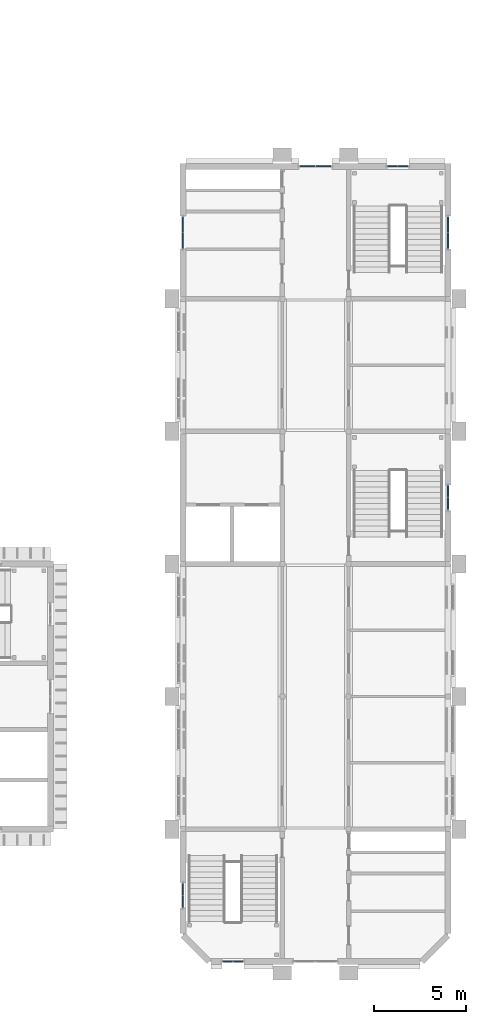
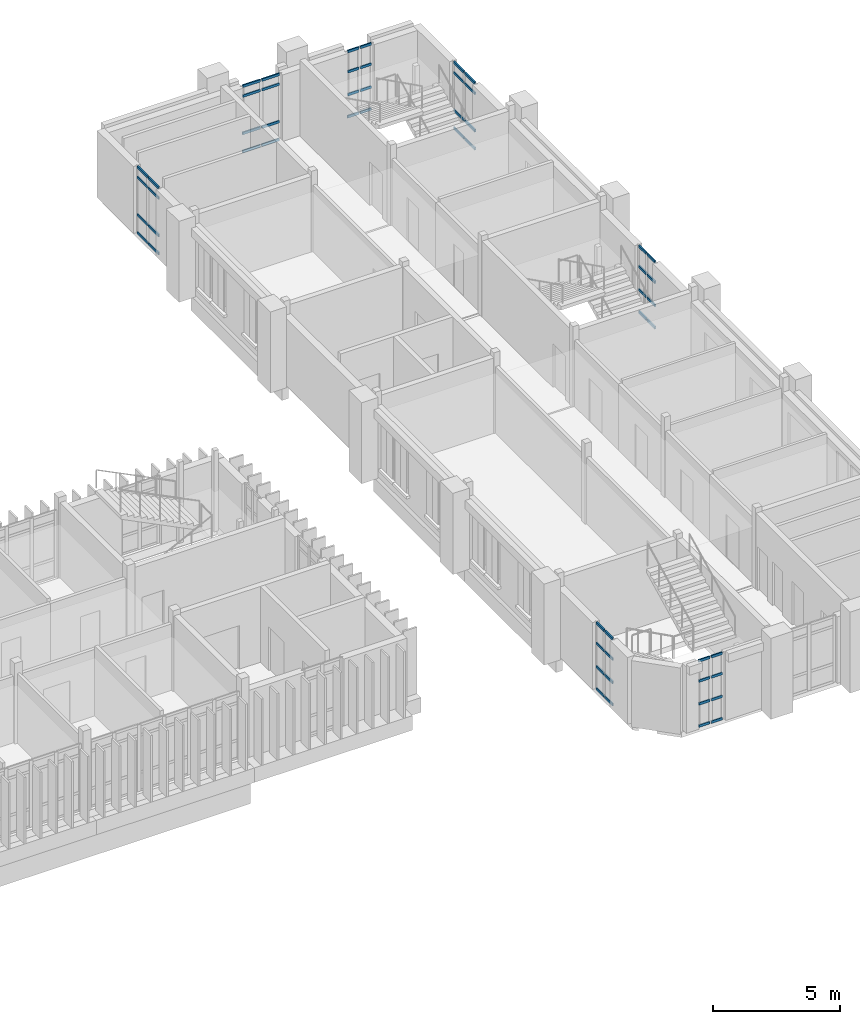
# One storey, part 25 of 69: 56 members, 7 elements without a shape of their own.
"""IFC4 building model written with IfcOpenShell, lengths in metres."""

from ifc_helpers import new_model, si_unit, direction, frame, origin, origin_2d, place, context, subcontext, project, spatial, rectangle, extrude, material, layer, layer_set, material_profile, profile_set, type_object, element, aggregate, save


model = new_model("IFC4")

# Units and contexts
model_context = context("Model", 3, precision=1e-05, world=origin(), true_north=direction((0.0, 1.0)))
body_context = subcontext(model_context, "Body", "Model", "MODEL_VIEW")
ifc_project = project(units=[si_unit("LENGTHUNIT", "METRE"), si_unit("AREAUNIT", "SQUARE_METRE"), si_unit("VOLUMEUNIT", "CUBIC_METRE"), si_unit("PLANEANGLEUNIT", "RADIAN"), si_unit("MASSUNIT", "GRAM", prefix="KILO")], contexts=[model_context])

# Site, building, storey
site_placement = place(None, origin())
site = spatial("IfcSite", under=ifc_project, at=site_placement, CompositionType="ELEMENT")
building_placement = place(site_placement, origin())
building = spatial("IfcBuilding", under=site, at=building_placement, Name="Mazhai Court Health Centre", CompositionType="ELEMENT")
storey_placement = place(building_placement, frame((0.0, 0.0, 6.300048828125)))
storey = spatial("IfcBuildingStorey", under=building, at=storey_placement, Name="L01", CompositionType="ELEMENT", Elevation=6.300048828125)

# Curtain wall, members
ifc_material_1 = material(Name="Teak timber frame, glazed", Category="wood")
ifc_layer_1 = layer(ifc_material_1, 0.10009765625)
ifc_layer_set_1 = layer_set([ifc_layer_1], Name="CURTAIN WALL TIMBER 600")
curtain_wall_type_1 = type_object("IfcCurtainWallType", Name="CURTAIN WALL TIMBER 600", PredefinedType="NOTDEFINED", material=ifc_layer_set_1)
curtain_wall_1_placement = place(storey_placement, origin())
curtain_wall_1 = element("IfcCurtainWall", 1, at=curtain_wall_1_placement, inside=storey, type_object=curtain_wall_type_1, Name="CW-V6-L01-A0", PredefinedType="NOTDEFINED")
ifc_material_2 = material(Name="Teak timber", Category="wood")
ifc_material_profile = material_profile(ifc_material_2, rectangle(XDim=0.06005859375, YDim=0.1201171875, at=origin_2d()), Name="CW TRANSOM 60x120")
ifc_profile_set = profile_set([ifc_material_profile], Name="Teak timber")
member_type = type_object("IfcMemberType", Name="CW TRANSOM 60x120", PredefinedType="USERDEFINED", material=ifc_profile_set)
member_1_placement = place(storey_placement, frame((135.800048828125, 9.159912109375, 0.030029296875), z_axis=(0.0, 1.0, 0.0), x_axis=(-1.0, 0.0, 0.0)))
member_1 = element("IfcMember", 2, at=member_1_placement, type_object=member_type, Name="CW transom 1.1", ObjectType="TRANSOM", PredefinedType="USERDEFINED", context=body_context, shape_type="SweptSolid", body=[
    extrude(rectangle(XDim=0.06005859375, YDim=0.1201171875, at=origin_2d()), origin(), (0.0, 0.0, 1.0), 0.610107421875),
])
member_2_placement = place(storey_placement, frame((135.800048828125, 9.159912109375, 1.099853515625), z_axis=(0.0, 1.0, 0.0), x_axis=(-1.0, 0.0, 0.0)))
member_2 = element("IfcMember", 3, at=member_2_placement, type_object=member_type, Name="CW transom 1.2", ObjectType="TRANSOM", PredefinedType="USERDEFINED", context=body_context, shape_type="SweptSolid", body=[
    extrude(rectangle(XDim=0.06005859375, YDim=0.1201171875, at=origin_2d()), origin(), (0.0, 0.0, 1.0), 0.610107421875),
])
member_3_placement = place(storey_placement, frame((135.800048828125, 9.159912109375, 2.219970703125), z_axis=(0.0, 1.0, 0.0), x_axis=(-1.0, 0.0, 0.0)))
member_3 = element("IfcMember", 4, at=member_3_placement, type_object=member_type, Name="CW transom 1.3", ObjectType="TRANSOM", PredefinedType="USERDEFINED", context=body_context, shape_type="SweptSolid", body=[
    extrude(rectangle(XDim=0.06005859375, YDim=0.1201171875, at=origin_2d()), origin(), (0.0, 0.0, 1.0), 0.610107421875),
])
member_4_placement = place(storey_placement, frame((135.800048828125, 9.159912109375, 3.18994140625), z_axis=(0.0, 1.0, 0.0), x_axis=(-1.0, 0.0, 0.0)))
member_4 = element("IfcMember", 5, at=member_4_placement, type_object=member_type, Name="CW transom 1.4", ObjectType="TRANSOM", PredefinedType="USERDEFINED", context=body_context, shape_type="SweptSolid", body=[
    extrude(rectangle(XDim=0.06005859375, YDim=0.1201171875, at=origin_2d()), origin(), (0.0, 0.0, 1.0), 0.610107421875),
])
member_5_placement = place(storey_placement, frame((135.800048828125, 9.830078125, 0.030029296875), z_axis=(0.0, 1.0, 0.0), x_axis=(-1.0, 0.0, 0.0)))
member_5 = element("IfcMember", 6, at=member_5_placement, type_object=member_type, Name="CW transom 2.1", ObjectType="TRANSOM", PredefinedType="USERDEFINED", context=body_context, shape_type="SweptSolid", body=[
    extrude(rectangle(XDim=0.06005859375, YDim=0.1201171875, at=origin_2d()), origin(), (0.0, 0.0, 1.0), 0.60986328125),
])
member_6_placement = place(storey_placement, frame((135.800048828125, 9.830078125, 1.099853515625), z_axis=(0.0, 1.0, 0.0), x_axis=(-1.0, 0.0, 0.0)))
member_6 = element("IfcMember", 7, at=member_6_placement, type_object=member_type, Name="CW transom 2.2", ObjectType="TRANSOM", PredefinedType="USERDEFINED", context=body_context, shape_type="SweptSolid", body=[
    extrude(rectangle(XDim=0.06005859375, YDim=0.1201171875, at=origin_2d()), origin(), (0.0, 0.0, 1.0), 0.60986328125),
])
member_7_placement = place(storey_placement, frame((135.800048828125, 9.830078125, 2.219970703125), z_axis=(0.0, 1.0, 0.0), x_axis=(-1.0, 0.0, 0.0)))
member_7 = element("IfcMember", 8, at=member_7_placement, type_object=member_type, Name="CW transom 2.3", ObjectType="TRANSOM", PredefinedType="USERDEFINED", context=body_context, shape_type="SweptSolid", body=[
    extrude(rectangle(XDim=0.06005859375, YDim=0.1201171875, at=origin_2d()), origin(), (0.0, 0.0, 1.0), 0.60986328125),
])
member_8_placement = place(storey_placement, frame((135.800048828125, 9.830078125, 3.18994140625), z_axis=(0.0, 1.0, 0.0), x_axis=(-1.0, 0.0, 0.0)))
member_8 = element("IfcMember", 9, at=member_8_placement, type_object=member_type, Name="CW transom 2.4", ObjectType="TRANSOM", PredefinedType="USERDEFINED", context=body_context, shape_type="SweptSolid", body=[
    extrude(rectangle(XDim=0.06005859375, YDim=0.1201171875, at=origin_2d()), origin(), (0.0, 0.0, 1.0), 0.60986328125),
])
aggregate(curtain_wall_1, [member_1, member_2, member_3, member_4, member_5, member_6, member_7, member_8])

ifc_material_3 = material(Name="Teak timber frame, glazed", Category="wood")
ifc_layer_2 = layer(ifc_material_3, 0.10009765625)
ifc_layer_set_2 = layer_set([ifc_layer_2], Name="CURTAIN WALL TIMBER 900")
curtain_wall_type_2 = type_object("IfcCurtainWallType", Name="CURTAIN WALL TIMBER 900", PredefinedType="NOTDEFINED", material=ifc_layer_set_2)
curtain_wall_2_placement = place(storey_placement, origin())
curtain_wall_2 = element("IfcCurtainWall", 10, at=curtain_wall_2_placement, inside=storey, type_object=curtain_wall_type_2, Name="CW-V6-L01-A5", PredefinedType="NOTDEFINED")
member_9_placement = place(storey_placement, frame((135.800048828125, 44.9599609375, 0.030029296875), z_axis=(0.0, 1.0, 0.0), x_axis=(-1.0, 0.0, 0.0)))
member_9 = element("IfcMember", 11, at=member_9_placement, type_object=member_type, Name="CW transom 1.1", ObjectType="TRANSOM", PredefinedType="USERDEFINED", context=body_context, shape_type="SweptSolid", body=[
    extrude(rectangle(XDim=0.06005859375, YDim=0.1201171875, at=origin_2d()), origin(), (0.0, 0.0, 1.0), 0.81005859375),
])
member_10_placement = place(storey_placement, frame((135.800048828125, 44.9599609375, 0.89990234375), z_axis=(0.0, 1.0, 0.0), x_axis=(-1.0, 0.0, 0.0)))
member_10 = element("IfcMember", 12, at=member_10_placement, type_object=member_type, Name="CW transom 1.2", ObjectType="TRANSOM", PredefinedType="USERDEFINED", context=body_context, shape_type="SweptSolid", body=[
    extrude(rectangle(XDim=0.06005859375, YDim=0.1201171875, at=origin_2d()), origin(), (0.0, 0.0, 1.0), 0.81005859375),
])
member_11_placement = place(storey_placement, frame((135.800048828125, 44.9599609375, 2.699951171875), z_axis=(0.0, 1.0, 0.0), x_axis=(-1.0, 0.0, 0.0)))
member_11 = element("IfcMember", 13, at=member_11_placement, type_object=member_type, Name="CW transom 1.3", ObjectType="TRANSOM", PredefinedType="USERDEFINED", context=body_context, shape_type="SweptSolid", body=[
    extrude(rectangle(XDim=0.06005859375, YDim=0.1201171875, at=origin_2d()), origin(), (0.0, 0.0, 1.0), 0.81005859375),
])
member_12_placement = place(storey_placement, frame((135.800048828125, 44.9599609375, 3.18994140625), z_axis=(0.0, 1.0, 0.0), x_axis=(-1.0, 0.0, 0.0)))
member_12 = element("IfcMember", 14, at=member_12_placement, type_object=member_type, Name="CW transom 1.4", ObjectType="TRANSOM", PredefinedType="USERDEFINED", context=body_context, shape_type="SweptSolid", body=[
    extrude(rectangle(XDim=0.06005859375, YDim=0.1201171875, at=origin_2d()), origin(), (0.0, 0.0, 1.0), 0.81005859375),
])
member_13_placement = place(storey_placement, frame((135.800048828125, 45.830078125, 0.030029296875), z_axis=(0.0, 1.0, 0.0), x_axis=(-1.0, 0.0, 0.0)))
member_13 = element("IfcMember", 15, at=member_13_placement, type_object=member_type, Name="CW transom 2.1", ObjectType="TRANSOM", PredefinedType="USERDEFINED", context=body_context, shape_type="SweptSolid", body=[
    extrude(rectangle(XDim=0.06005859375, YDim=0.1201171875, at=origin_2d()), origin(), (0.0, 0.0, 1.0), 0.809814453125),
])
member_14_placement = place(storey_placement, frame((135.800048828125, 45.830078125, 0.89990234375), z_axis=(0.0, 1.0, 0.0), x_axis=(-1.0, 0.0, 0.0)))
member_14 = element("IfcMember", 16, at=member_14_placement, type_object=member_type, Name="CW transom 2.2", ObjectType="TRANSOM", PredefinedType="USERDEFINED", context=body_context, shape_type="SweptSolid", body=[
    extrude(rectangle(XDim=0.06005859375, YDim=0.1201171875, at=origin_2d()), origin(), (0.0, 0.0, 1.0), 0.809814453125),
])
member_15_placement = place(storey_placement, frame((135.800048828125, 45.830078125, 2.699951171875), z_axis=(0.0, 1.0, 0.0), x_axis=(-1.0, 0.0, 0.0)))
member_15 = element("IfcMember", 17, at=member_15_placement, type_object=member_type, Name="CW transom 2.3", ObjectType="TRANSOM", PredefinedType="USERDEFINED", context=body_context, shape_type="SweptSolid", body=[
    extrude(rectangle(XDim=0.06005859375, YDim=0.1201171875, at=origin_2d()), origin(), (0.0, 0.0, 1.0), 0.809814453125),
])
member_16_placement = place(storey_placement, frame((135.800048828125, 45.830078125, 3.18994140625), z_axis=(0.0, 1.0, 0.0), x_axis=(-1.0, 0.0, 0.0)))
member_16 = element("IfcMember", 18, at=member_16_placement, type_object=member_type, Name="CW transom 2.4", ObjectType="TRANSOM", PredefinedType="USERDEFINED", context=body_context, shape_type="SweptSolid", body=[
    extrude(rectangle(XDim=0.06005859375, YDim=0.1201171875, at=origin_2d()), origin(), (0.0, 0.0, 1.0), 0.809814453125),
])
aggregate(curtain_wall_2, [member_9, member_10, member_11, member_12, member_13, member_14, member_15, member_16])

curtain_wall_3_placement = place(storey_placement, origin())
curtain_wall_3 = element("IfcCurtainWall", 19, at=curtain_wall_3_placement, inside=storey, type_object=curtain_wall_type_1, Name="CW-V6-L01-B3", PredefinedType="NOTDEFINED")
member_17_placement = place(storey_placement, frame((150.199951171875, 32.0400390625, 0.030029296875), z_axis=(0.0, -1.0, 0.0), x_axis=(1.0, 0.0, 0.0)))
member_17 = element("IfcMember", 20, at=member_17_placement, type_object=member_type, Name="CW transom 1.1", ObjectType="TRANSOM", PredefinedType="USERDEFINED", context=body_context, shape_type="SweptSolid", body=[
    extrude(rectangle(XDim=0.06005859375, YDim=0.1201171875, at=origin_2d()), origin(), (0.0, 0.0, 1.0), 0.610107421875),
])
member_18_placement = place(storey_placement, frame((150.199951171875, 32.0400390625, 1.099853515625), z_axis=(0.0, -1.0, 0.0), x_axis=(1.0, 0.0, 0.0)))
member_18 = element("IfcMember", 21, at=member_18_placement, type_object=member_type, Name="CW transom 1.2", ObjectType="TRANSOM", PredefinedType="USERDEFINED", context=body_context, shape_type="SweptSolid", body=[
    extrude(rectangle(XDim=0.06005859375, YDim=0.1201171875, at=origin_2d()), origin(), (0.0, 0.0, 1.0), 0.610107421875),
])
member_19_placement = place(storey_placement, frame((150.199951171875, 32.0400390625, 2.219970703125), z_axis=(0.0, -1.0, 0.0), x_axis=(1.0, 0.0, 0.0)))
member_19 = element("IfcMember", 22, at=member_19_placement, type_object=member_type, Name="CW transom 1.3", ObjectType="TRANSOM", PredefinedType="USERDEFINED", context=body_context, shape_type="SweptSolid", body=[
    extrude(rectangle(XDim=0.06005859375, YDim=0.1201171875, at=origin_2d()), origin(), (0.0, 0.0, 1.0), 0.610107421875),
])
member_20_placement = place(storey_placement, frame((150.199951171875, 32.0400390625, 3.18994140625), z_axis=(0.0, -1.0, 0.0), x_axis=(1.0, 0.0, 0.0)))
member_20 = element("IfcMember", 23, at=member_20_placement, type_object=member_type, Name="CW transom 1.4", ObjectType="TRANSOM", PredefinedType="USERDEFINED", context=body_context, shape_type="SweptSolid", body=[
    extrude(rectangle(XDim=0.06005859375, YDim=0.1201171875, at=origin_2d()), origin(), (0.0, 0.0, 1.0), 0.610107421875),
])
member_21_placement = place(storey_placement, frame((150.199951171875, 31.3701171875, 0.030029296875), z_axis=(0.0, -1.0, 0.0), x_axis=(1.0, 0.0, 0.0)))
member_21 = element("IfcMember", 24, at=member_21_placement, type_object=member_type, Name="CW transom 2.1", ObjectType="TRANSOM", PredefinedType="USERDEFINED", context=body_context, shape_type="SweptSolid", body=[
    extrude(rectangle(XDim=0.06005859375, YDim=0.1201171875, at=origin_2d()), origin(), (0.0, 0.0, 1.0), 0.610107421875),
])
member_22_placement = place(storey_placement, frame((150.199951171875, 31.3701171875, 1.099853515625), z_axis=(0.0, -1.0, 0.0), x_axis=(1.0, 0.0, 0.0)))
member_22 = element("IfcMember", 25, at=member_22_placement, type_object=member_type, Name="CW transom 2.2", ObjectType="TRANSOM", PredefinedType="USERDEFINED", context=body_context, shape_type="SweptSolid", body=[
    extrude(rectangle(XDim=0.06005859375, YDim=0.1201171875, at=origin_2d()), origin(), (0.0, 0.0, 1.0), 0.610107421875),
])
member_23_placement = place(storey_placement, frame((150.199951171875, 31.3701171875, 2.219970703125), z_axis=(0.0, -1.0, 0.0), x_axis=(1.0, 0.0, 0.0)))
member_23 = element("IfcMember", 26, at=member_23_placement, type_object=member_type, Name="CW transom 2.3", ObjectType="TRANSOM", PredefinedType="USERDEFINED", context=body_context, shape_type="SweptSolid", body=[
    extrude(rectangle(XDim=0.06005859375, YDim=0.1201171875, at=origin_2d()), origin(), (0.0, 0.0, 1.0), 0.610107421875),
])
member_24_placement = place(storey_placement, frame((150.199951171875, 31.3701171875, 3.18994140625), z_axis=(0.0, -1.0, 0.0), x_axis=(1.0, 0.0, 0.0)))
member_24 = element("IfcMember", 27, at=member_24_placement, type_object=member_type, Name="CW transom 2.4", ObjectType="TRANSOM", PredefinedType="USERDEFINED", context=body_context, shape_type="SweptSolid", body=[
    extrude(rectangle(XDim=0.06005859375, YDim=0.1201171875, at=origin_2d()), origin(), (0.0, 0.0, 1.0), 0.610107421875),
])
aggregate(curtain_wall_3, [member_17, member_18, member_19, member_20, member_21, member_22, member_23, member_24])

curtain_wall_4_placement = place(storey_placement, origin())
curtain_wall_4 = element("IfcCurtainWall", 28, at=curtain_wall_4_placement, inside=storey, type_object=curtain_wall_type_2, Name="CW-V6-L01-B5", PredefinedType="NOTDEFINED")
member_25_placement = place(storey_placement, frame((150.199951171875, 46.639892578125, 0.030029296875), z_axis=(0.0, -1.0, 0.0), x_axis=(1.0, 0.0, 0.0)))
member_25 = element("IfcMember", 29, at=member_25_placement, type_object=member_type, Name="CW transom 1.1", ObjectType="TRANSOM", PredefinedType="USERDEFINED", context=body_context, shape_type="SweptSolid", body=[
    extrude(rectangle(XDim=0.06005859375, YDim=0.1201171875, at=origin_2d()), origin(), (0.0, 0.0, 1.0), 0.809814453125),
])
member_26_placement = place(storey_placement, frame((150.199951171875, 46.639892578125, 0.89990234375), z_axis=(0.0, -1.0, 0.0), x_axis=(1.0, 0.0, 0.0)))
member_26 = element("IfcMember", 30, at=member_26_placement, type_object=member_type, Name="CW transom 1.2", ObjectType="TRANSOM", PredefinedType="USERDEFINED", context=body_context, shape_type="SweptSolid", body=[
    extrude(rectangle(XDim=0.06005859375, YDim=0.1201171875, at=origin_2d()), origin(), (0.0, 0.0, 1.0), 0.809814453125),
])
member_27_placement = place(storey_placement, frame((150.199951171875, 46.639892578125, 2.699951171875), z_axis=(0.0, -1.0, 0.0), x_axis=(1.0, 0.0, 0.0)))
member_27 = element("IfcMember", 31, at=member_27_placement, type_object=member_type, Name="CW transom 1.3", ObjectType="TRANSOM", PredefinedType="USERDEFINED", context=body_context, shape_type="SweptSolid", body=[
    extrude(rectangle(XDim=0.06005859375, YDim=0.1201171875, at=origin_2d()), origin(), (0.0, 0.0, 1.0), 0.809814453125),
])
member_28_placement = place(storey_placement, frame((150.199951171875, 46.639892578125, 3.18994140625), z_axis=(0.0, -1.0, 0.0), x_axis=(1.0, 0.0, 0.0)))
member_28 = element("IfcMember", 32, at=member_28_placement, type_object=member_type, Name="CW transom 1.4", ObjectType="TRANSOM", PredefinedType="USERDEFINED", context=body_context, shape_type="SweptSolid", body=[
    extrude(rectangle(XDim=0.06005859375, YDim=0.1201171875, at=origin_2d()), origin(), (0.0, 0.0, 1.0), 0.809814453125),
])
member_29_placement = place(storey_placement, frame((150.199951171875, 45.77001953125, 0.030029296875), z_axis=(0.0, -1.0, 0.0), x_axis=(1.0, 0.0, 0.0)))
member_29 = element("IfcMember", 33, at=member_29_placement, type_object=member_type, Name="CW transom 2.1", ObjectType="TRANSOM", PredefinedType="USERDEFINED", context=body_context, shape_type="SweptSolid", body=[
    extrude(rectangle(XDim=0.06005859375, YDim=0.1201171875, at=origin_2d()), origin(), (0.0, 0.0, 1.0), 0.81005859375),
])
member_30_placement = place(storey_placement, frame((150.199951171875, 45.77001953125, 0.89990234375), z_axis=(0.0, -1.0, 0.0), x_axis=(1.0, 0.0, 0.0)))
member_30 = element("IfcMember", 34, at=member_30_placement, type_object=member_type, Name="CW transom 2.2", ObjectType="TRANSOM", PredefinedType="USERDEFINED", context=body_context, shape_type="SweptSolid", body=[
    extrude(rectangle(XDim=0.06005859375, YDim=0.1201171875, at=origin_2d()), origin(), (0.0, 0.0, 1.0), 0.81005859375),
])
member_31_placement = place(storey_placement, frame((150.199951171875, 45.77001953125, 2.699951171875), z_axis=(0.0, -1.0, 0.0), x_axis=(1.0, 0.0, 0.0)))
member_31 = element("IfcMember", 35, at=member_31_placement, type_object=member_type, Name="CW transom 2.3", ObjectType="TRANSOM", PredefinedType="USERDEFINED", context=body_context, shape_type="SweptSolid", body=[
    extrude(rectangle(XDim=0.06005859375, YDim=0.1201171875, at=origin_2d()), origin(), (0.0, 0.0, 1.0), 0.81005859375),
])
member_32_placement = place(storey_placement, frame((150.199951171875, 45.77001953125, 3.18994140625), z_axis=(0.0, -1.0, 0.0), x_axis=(1.0, 0.0, 0.0)))
member_32 = element("IfcMember", 36, at=member_32_placement, type_object=member_type, Name="CW transom 2.4", ObjectType="TRANSOM", PredefinedType="USERDEFINED", context=body_context, shape_type="SweptSolid", body=[
    extrude(rectangle(XDim=0.06005859375, YDim=0.1201171875, at=origin_2d()), origin(), (0.0, 0.0, 1.0), 0.81005859375),
])
aggregate(curtain_wall_4, [member_25, member_26, member_27, member_28, member_29, member_30, member_31, member_32])

curtain_wall_5_placement = place(storey_placement, origin())
curtain_wall_5 = element("IfcCurtainWall", 37, at=curtain_wall_5_placement, inside=storey, type_object=curtain_wall_type_1, Name="CW-V6-L01-SSTAIR0", PredefinedType="NOTDEFINED")
member_33_placement = place(storey_placement, frame((139.06005859375, 6.199951171875, 0.030029296875), z_axis=(-1.0, 0.0, 0.0), x_axis=(0.0, -1.0, 0.0)))
member_33 = element("IfcMember", 38, at=member_33_placement, type_object=member_type, Name="CW transom 1.1", ObjectType="TRANSOM", PredefinedType="USERDEFINED", context=body_context, shape_type="SweptSolid", body=[
    extrude(rectangle(XDim=0.06005859375, YDim=0.1201171875, at=origin_2d()), origin(), (0.0, 0.0, 1.0), 0.510009765625),
])
member_34_placement = place(storey_placement, frame((139.06005859375, 6.199951171875, 1.099853515625), z_axis=(-1.0, 0.0, 0.0), x_axis=(0.0, -1.0, 0.0)))
member_34 = element("IfcMember", 39, at=member_34_placement, type_object=member_type, Name="CW transom 1.2", ObjectType="TRANSOM", PredefinedType="USERDEFINED", context=body_context, shape_type="SweptSolid", body=[
    extrude(rectangle(XDim=0.06005859375, YDim=0.1201171875, at=origin_2d()), origin(), (0.0, 0.0, 1.0), 0.510009765625),
])
member_35_placement = place(storey_placement, frame((139.06005859375, 6.199951171875, 2.199951171875), z_axis=(-1.0, 0.0, 0.0), x_axis=(0.0, -1.0, 0.0)))
member_35 = element("IfcMember", 40, at=member_35_placement, type_object=member_type, Name="CW transom 1.3", ObjectType="TRANSOM", PredefinedType="USERDEFINED", context=body_context, shape_type="SweptSolid", body=[
    extrude(rectangle(XDim=0.06005859375, YDim=0.1201171875, at=origin_2d()), origin(), (0.0, 0.0, 1.0), 0.510009765625),
])
member_36_placement = place(storey_placement, frame((139.06005859375, 6.199951171875, 3.169921875), z_axis=(-1.0, 0.0, 0.0), x_axis=(0.0, -1.0, 0.0)))
member_36 = element("IfcMember", 41, at=member_36_placement, type_object=member_type, Name="CW transom 1.4", ObjectType="TRANSOM", PredefinedType="USERDEFINED", context=body_context, shape_type="SweptSolid", body=[
    extrude(rectangle(XDim=0.06005859375, YDim=0.1201171875, at=origin_2d()), origin(), (0.0, 0.0, 1.0), 0.510009765625),
])
member_37_placement = place(storey_placement, frame((138.489990234375, 6.199951171875, 0.030029296875), z_axis=(-1.0, 0.0, 0.0), x_axis=(0.0, -1.0, 0.0)))
member_37 = element("IfcMember", 42, at=member_37_placement, type_object=member_type, Name="CW transom 2.1", ObjectType="TRANSOM", PredefinedType="USERDEFINED", context=body_context, shape_type="SweptSolid", body=[
    extrude(rectangle(XDim=0.06005859375, YDim=0.1201171875, at=origin_2d()), origin(), (0.0, 0.0, 1.0), 0.510009765625),
])
member_38_placement = place(storey_placement, frame((138.489990234375, 6.199951171875, 1.099853515625), z_axis=(-1.0, 0.0, 0.0), x_axis=(0.0, -1.0, 0.0)))
member_38 = element("IfcMember", 43, at=member_38_placement, type_object=member_type, Name="CW transom 2.2", ObjectType="TRANSOM", PredefinedType="USERDEFINED", context=body_context, shape_type="SweptSolid", body=[
    extrude(rectangle(XDim=0.06005859375, YDim=0.1201171875, at=origin_2d()), origin(), (0.0, 0.0, 1.0), 0.510009765625),
])
member_39_placement = place(storey_placement, frame((138.489990234375, 6.199951171875, 2.199951171875), z_axis=(-1.0, 0.0, 0.0), x_axis=(0.0, -1.0, 0.0)))
member_39 = element("IfcMember", 44, at=member_39_placement, type_object=member_type, Name="CW transom 2.3", ObjectType="TRANSOM", PredefinedType="USERDEFINED", context=body_context, shape_type="SweptSolid", body=[
    extrude(rectangle(XDim=0.06005859375, YDim=0.1201171875, at=origin_2d()), origin(), (0.0, 0.0, 1.0), 0.510009765625),
])
member_40_placement = place(storey_placement, frame((138.489990234375, 6.199951171875, 3.169921875), z_axis=(-1.0, 0.0, 0.0), x_axis=(0.0, -1.0, 0.0)))
member_40 = element("IfcMember", 45, at=member_40_placement, type_object=member_type, Name="CW transom 2.4", ObjectType="TRANSOM", PredefinedType="USERDEFINED", context=body_context, shape_type="SweptSolid", body=[
    extrude(rectangle(XDim=0.06005859375, YDim=0.1201171875, at=origin_2d()), origin(), (0.0, 0.0, 1.0), 0.510009765625),
])
aggregate(curtain_wall_5, [member_33, member_34, member_35, member_36, member_37, member_38, member_39, member_40])

curtain_wall_6_placement = place(storey_placement, origin())
curtain_wall_6 = element("IfcCurtainWall", 46, at=curtain_wall_6_placement, inside=storey, type_object=curtain_wall_type_2, Name="CW-V6-L01-ELIFT0", PredefinedType="NOTDEFINED")
member_41_placement = place(storey_placement, frame((142.159912109375, 49.39990234375, 0.030029296875), z_axis=(1.0, 0.0, 0.0), x_axis=(0.0, 1.0, 0.0)))
member_41 = element("IfcMember", 47, at=member_41_placement, type_object=member_type, Name="CW transom 1.1", ObjectType="TRANSOM", PredefinedType="USERDEFINED", context=body_context, shape_type="SweptSolid", body=[
    extrude(rectangle(XDim=0.06005859375, YDim=0.1201171875, at=origin_2d()), origin(), (0.0, 0.0, 1.0), 0.81005859375),
])
member_42_placement = place(storey_placement, frame((142.159912109375, 49.39990234375, 0.89990234375), z_axis=(1.0, 0.0, 0.0), x_axis=(0.0, 1.0, 0.0)))
member_42 = element("IfcMember", 48, at=member_42_placement, type_object=member_type, Name="CW transom 1.2", ObjectType="TRANSOM", PredefinedType="USERDEFINED", context=body_context, shape_type="SweptSolid", body=[
    extrude(rectangle(XDim=0.06005859375, YDim=0.1201171875, at=origin_2d()), origin(), (0.0, 0.0, 1.0), 0.81005859375),
])
member_43_placement = place(storey_placement, frame((142.159912109375, 49.39990234375, 2.699951171875), z_axis=(1.0, 0.0, 0.0), x_axis=(0.0, 1.0, 0.0)))
member_43 = element("IfcMember", 49, at=member_43_placement, type_object=member_type, Name="CW transom 1.3", ObjectType="TRANSOM", PredefinedType="USERDEFINED", context=body_context, shape_type="SweptSolid", body=[
    extrude(rectangle(XDim=0.06005859375, YDim=0.1201171875, at=origin_2d()), origin(), (0.0, 0.0, 1.0), 0.81005859375),
])
member_44_placement = place(storey_placement, frame((142.159912109375, 49.39990234375, 3.169921875), z_axis=(1.0, 0.0, 0.0), x_axis=(0.0, 1.0, 0.0)))
member_44 = element("IfcMember", 50, at=member_44_placement, type_object=member_type, Name="CW transom 1.4", ObjectType="TRANSOM", PredefinedType="USERDEFINED", context=body_context, shape_type="SweptSolid", body=[
    extrude(rectangle(XDim=0.06005859375, YDim=0.1201171875, at=origin_2d()), origin(), (0.0, 0.0, 1.0), 0.81005859375),
])
member_45_placement = place(storey_placement, frame((143.030029296875, 49.39990234375, 0.030029296875), z_axis=(1.0, 0.0, 0.0), x_axis=(0.0, 1.0, 0.0)))
member_45 = element("IfcMember", 51, at=member_45_placement, type_object=member_type, Name="CW transom 2.1", ObjectType="TRANSOM", PredefinedType="USERDEFINED", context=body_context, shape_type="SweptSolid", body=[
    extrude(rectangle(XDim=0.06005859375, YDim=0.1201171875, at=origin_2d()), origin(), (0.0, 0.0, 1.0), 0.81005859375),
])
member_46_placement = place(storey_placement, frame((143.030029296875, 49.39990234375, 0.89990234375), z_axis=(1.0, 0.0, 0.0), x_axis=(0.0, 1.0, 0.0)))
member_46 = element("IfcMember", 52, at=member_46_placement, type_object=member_type, Name="CW transom 2.2", ObjectType="TRANSOM", PredefinedType="USERDEFINED", context=body_context, shape_type="SweptSolid", body=[
    extrude(rectangle(XDim=0.06005859375, YDim=0.1201171875, at=origin_2d()), origin(), (0.0, 0.0, 1.0), 0.81005859375),
])
member_47_placement = place(storey_placement, frame((143.030029296875, 49.39990234375, 2.699951171875), z_axis=(1.0, 0.0, 0.0), x_axis=(0.0, 1.0, 0.0)))
member_47 = element("IfcMember", 53, at=member_47_placement, type_object=member_type, Name="CW transom 2.3", ObjectType="TRANSOM", PredefinedType="USERDEFINED", context=body_context, shape_type="SweptSolid", body=[
    extrude(rectangle(XDim=0.06005859375, YDim=0.1201171875, at=origin_2d()), origin(), (0.0, 0.0, 1.0), 0.81005859375),
])
member_48_placement = place(storey_placement, frame((143.030029296875, 49.39990234375, 3.169921875), z_axis=(1.0, 0.0, 0.0), x_axis=(0.0, 1.0, 0.0)))
member_48 = element("IfcMember", 54, at=member_48_placement, type_object=member_type, Name="CW transom 2.4", ObjectType="TRANSOM", PredefinedType="USERDEFINED", context=body_context, shape_type="SweptSolid", body=[
    extrude(rectangle(XDim=0.06005859375, YDim=0.1201171875, at=origin_2d()), origin(), (0.0, 0.0, 1.0), 0.81005859375),
])
aggregate(curtain_wall_6, [member_41, member_42, member_43, member_44, member_45, member_46, member_47, member_48])

curtain_wall_7_placement = place(storey_placement, origin())
curtain_wall_7 = element("IfcCurtainWall", 55, at=curtain_wall_7_placement, inside=storey, type_object=curtain_wall_type_1, Name="CW-V6-L01-ESTAIR1", PredefinedType="NOTDEFINED")
member_49_placement = place(storey_placement, frame((146.93994140625, 49.39990234375, 0.030029296875), z_axis=(1.0, 0.0, 0.0), x_axis=(0.0, 1.0, 0.0)))
member_49 = element("IfcMember", 56, at=member_49_placement, type_object=member_type, Name="CW transom 1.1", ObjectType="TRANSOM", PredefinedType="USERDEFINED", context=body_context, shape_type="SweptSolid", body=[
    extrude(rectangle(XDim=0.06005859375, YDim=0.1201171875, at=origin_2d()), origin(), (0.0, 0.0, 1.0), 0.510009765625),
])
member_50_placement = place(storey_placement, frame((146.93994140625, 49.39990234375, 1.099853515625), z_axis=(1.0, 0.0, 0.0), x_axis=(0.0, 1.0, 0.0)))
member_50 = element("IfcMember", 57, at=member_50_placement, type_object=member_type, Name="CW transom 1.2", ObjectType="TRANSOM", PredefinedType="USERDEFINED", context=body_context, shape_type="SweptSolid", body=[
    extrude(rectangle(XDim=0.06005859375, YDim=0.1201171875, at=origin_2d()), origin(), (0.0, 0.0, 1.0), 0.510009765625),
])
member_51_placement = place(storey_placement, frame((146.93994140625, 49.39990234375, 2.199951171875), z_axis=(1.0, 0.0, 0.0), x_axis=(0.0, 1.0, 0.0)))
member_51 = element("IfcMember", 58, at=member_51_placement, type_object=member_type, Name="CW transom 1.3", ObjectType="TRANSOM", PredefinedType="USERDEFINED", context=body_context, shape_type="SweptSolid", body=[
    extrude(rectangle(XDim=0.06005859375, YDim=0.1201171875, at=origin_2d()), origin(), (0.0, 0.0, 1.0), 0.510009765625),
])
member_52_placement = place(storey_placement, frame((146.93994140625, 49.39990234375, 3.169921875), z_axis=(1.0, 0.0, 0.0), x_axis=(0.0, 1.0, 0.0)))
member_52 = element("IfcMember", 59, at=member_52_placement, type_object=member_type, Name="CW transom 1.4", ObjectType="TRANSOM", PredefinedType="USERDEFINED", context=body_context, shape_type="SweptSolid", body=[
    extrude(rectangle(XDim=0.06005859375, YDim=0.1201171875, at=origin_2d()), origin(), (0.0, 0.0, 1.0), 0.510009765625),
])
member_53_placement = place(storey_placement, frame((147.510009765625, 49.39990234375, 0.030029296875), z_axis=(1.0, 0.0, 0.0), x_axis=(0.0, 1.0, 0.0)))
member_53 = element("IfcMember", 60, at=member_53_placement, type_object=member_type, Name="CW transom 2.1", ObjectType="TRANSOM", PredefinedType="USERDEFINED", context=body_context, shape_type="SweptSolid", body=[
    extrude(rectangle(XDim=0.06005859375, YDim=0.1201171875, at=origin_2d()), origin(), (0.0, 0.0, 1.0), 0.510009765625),
])
member_54_placement = place(storey_placement, frame((147.510009765625, 49.39990234375, 1.099853515625), z_axis=(1.0, 0.0, 0.0), x_axis=(0.0, 1.0, 0.0)))
member_54 = element("IfcMember", 61, at=member_54_placement, type_object=member_type, Name="CW transom 2.2", ObjectType="TRANSOM", PredefinedType="USERDEFINED", context=body_context, shape_type="SweptSolid", body=[
    extrude(rectangle(XDim=0.06005859375, YDim=0.1201171875, at=origin_2d()), origin(), (0.0, 0.0, 1.0), 0.510009765625),
])
member_55_placement = place(storey_placement, frame((147.510009765625, 49.39990234375, 2.199951171875), z_axis=(1.0, 0.0, 0.0), x_axis=(0.0, 1.0, 0.0)))
member_55 = element("IfcMember", 62, at=member_55_placement, type_object=member_type, Name="CW transom 2.3", ObjectType="TRANSOM", PredefinedType="USERDEFINED", context=body_context, shape_type="SweptSolid", body=[
    extrude(rectangle(XDim=0.06005859375, YDim=0.1201171875, at=origin_2d()), origin(), (0.0, 0.0, 1.0), 0.510009765625),
])
member_56_placement = place(storey_placement, frame((147.510009765625, 49.39990234375, 3.169921875), z_axis=(1.0, 0.0, 0.0), x_axis=(0.0, 1.0, 0.0)))
member_56 = element("IfcMember", 63, at=member_56_placement, type_object=member_type, Name="CW transom 2.4", ObjectType="TRANSOM", PredefinedType="USERDEFINED", context=body_context, shape_type="SweptSolid", body=[
    extrude(rectangle(XDim=0.06005859375, YDim=0.1201171875, at=origin_2d()), origin(), (0.0, 0.0, 1.0), 0.510009765625),
])
aggregate(curtain_wall_7, [member_49, member_50, member_51, member_52, member_53, member_54, member_55, member_56])

save(model, "model.ifc")
